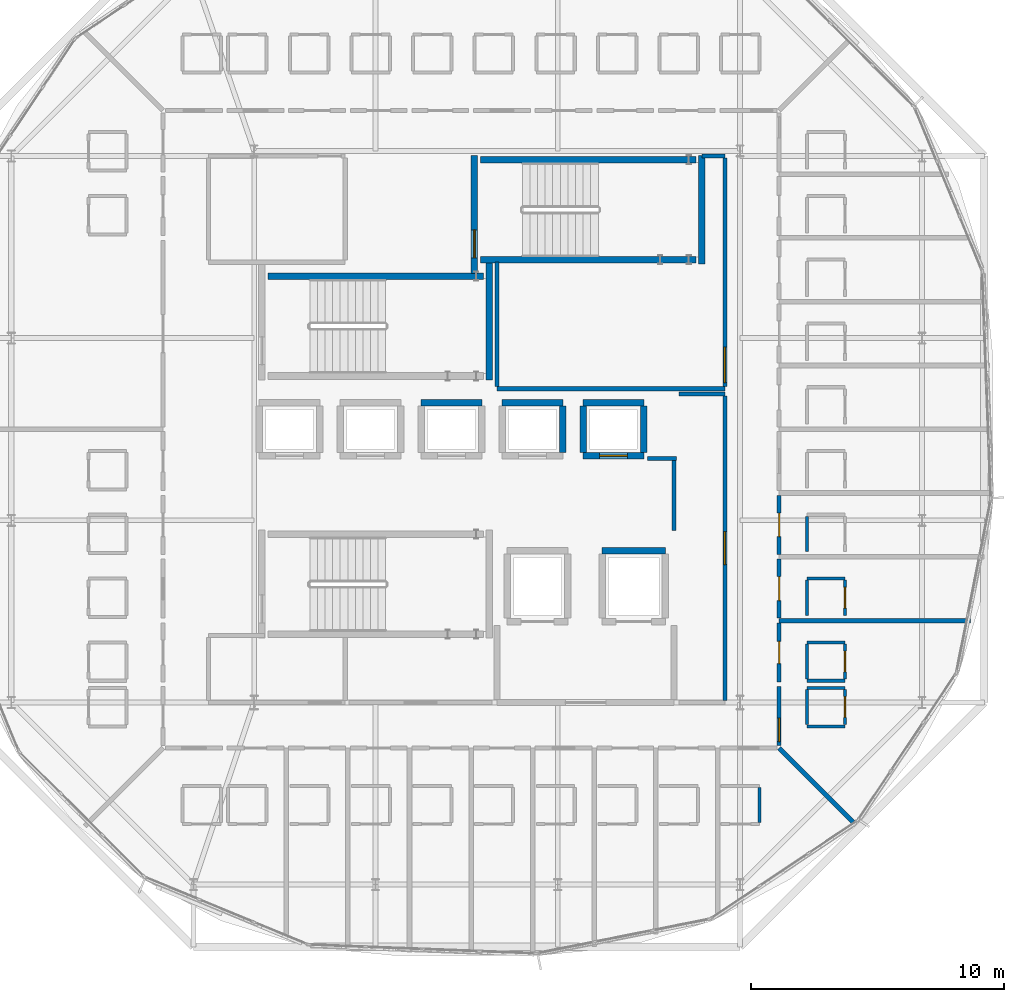
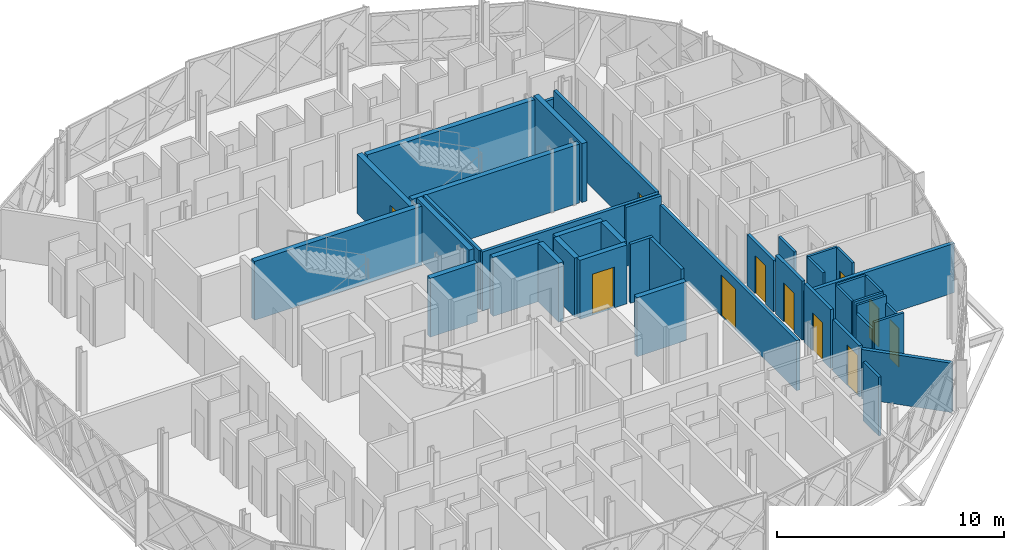
# One storey, part 16 of 24: 41 walls, 11 doors, 11 openings.
"""IFC4 building model written with IfcOpenShell, lengths in metres."""

from ifc_helpers import new_model, si_unit, direction, frame, frame_2d, origin, place, context, subcontext, project, spatial, rectangle, extrude, material, layer, layer_set, type_object, element, fill, save


model = new_model("IFC4")

# Units and contexts
model_context = context("Model", 3, precision=1e-05, world=origin(), true_north=direction((0.0, 1.0)))
body_context = subcontext(model_context, "Body", "Model", "MODEL_VIEW")
ifc_project = project(units=[si_unit("LENGTHUNIT", "METRE"), si_unit("AREAUNIT", "SQUARE_METRE"), si_unit("VOLUMEUNIT", "CUBIC_METRE"), si_unit("PLANEANGLEUNIT", "RADIAN"), si_unit("MASSUNIT", "GRAM", prefix="KILO")], contexts=[model_context])

# Site, building, storey
site_placement = place(None, origin())
site = spatial("IfcSite", under=ifc_project, at=site_placement, CompositionType="ELEMENT")
building_placement = place(site_placement, origin())
building = spatial("IfcBuilding", under=site, at=building_placement, Name="Zevrakil Square Congress Hotel", CompositionType="ELEMENT")
storey_placement = place(building_placement, frame((0.0, 0.0, 31.699951171875)))
storey = spatial("IfcBuildingStorey", under=building, at=storey_placement, Name="L09", CompositionType="ELEMENT", Elevation=31.699951171875)

# Walls
ifc_material_1 = material(Name="Gypsum Acoustic Stud Partition")
ifc_layer_1 = layer(ifc_material_1, 0.159912109375)
ifc_layer_set_1 = layer_set([ifc_layer_1], Name="Gypsum Acoustic Stud Partition")
wall_type_1 = type_object("IfcWallType", Name="WAL-CORR-160", PredefinedType="PARTITIONING", material=ifc_layer_set_1)
wall_1_placement = place(storey_placement, frame((146.39990234375, 29.199951171875, 0.0), z_axis=(0.0, 0.0, 1.0), x_axis=(1.0, 0.0, 0.0)))
element("IfcWall", 1, at=wall_1_placement, inside=storey, type_object=wall_type_1, Name="L09 interior partition PW-L09-1360", PredefinedType="PARTITIONING", context=body_context, shape_type="SweptSolid", body=[
    extrude(rectangle(XDim=9.0, YDim=0.159912109375, at=frame_2d((4.5, 0.0))), origin(), (0.0, 0.0, 1.0), 3.170166015625),
])
wall_2_placement = place(storey_placement, frame((146.39990234375, 29.284912109375, 0.0), z_axis=(0.0, 0.0, 1.0), x_axis=(0.0, 1.0, 0.0)))
element("IfcWall", 2, at=wall_2_placement, inside=storey, type_object=wall_type_1, Name="L09 interior partition PW-L09-1361", PredefinedType="PARTITIONING", context=body_context, shape_type="SweptSolid", body=[
    extrude(rectangle(XDim=4.9150390625, YDim=0.159912109375, at=frame_2d((2.45751953125, 0.0))), origin(), (0.0, 0.0, 1.0), 3.170166015625),
])
wall_3_placement = place(storey_placement, frame((154.5, 38.39990234375, 0.0), z_axis=(0.0, 0.0, 1.0), x_axis=(1.0, 0.0, 0.0)))
element("IfcWall", 3, at=wall_3_placement, inside=storey, type_object=wall_type_1, Name="L09 interior partition PW-L09-1362", PredefinedType="PARTITIONING", context=body_context, shape_type="SweptSolid", body=[
    extrude(rectangle(XDim=0.89990234375, YDim=0.159912109375, at=frame_2d((0.449951171875, 0.0))), origin(), (0.0, 0.0, 1.0), 2.705078125),
])

# Wall, opening, door
wall_4_placement = place(storey_placement, frame((155.39990234375, 29.284912109375, 0.0), z_axis=(0.0, 0.0, 1.0), x_axis=(0.0, 1.0, 0.0)))
wall_4 = element("IfcWall", 4, at=wall_4_placement, inside=storey, type_object=wall_type_1, Name="L09 interior partition PW-L09-1363", PredefinedType="PARTITIONING", context=body_context, shape_type="SweptSolid", body=[
    extrude(rectangle(XDim=9.030029296875, YDim=0.159912109375, at=frame_2d((4.51513671875, 0.0))), origin(), (0.0, 0.0, 1.0), 3.170166015625),
])
opening_1_placement = place(wall_4_placement, frame((0.159912109375, 0.0, 0.0)))
opening_1 = element("IfcOpeningElement", 5, at=opening_1_placement, cuts=wall_4, Name="Opening ID-09", PredefinedType="OPENING", context=body_context, shape_type="SweptSolid", body=[
    extrude(rectangle(XDim=1.39990234375, YDim=2.199951171875, at=frame_2d((0.699951171875, 1.10009765625))), frame((0.0, 0.08984375, 0.0), z_axis=(0.0, -1.0, 0.0), x_axis=(1.0, 0.0, 0.0)), (0.0, 0.0, 1.0), 0.179931640625),
])
ifc_material_2 = material(Name="Steel S355 Louvred Plant Fire Door", Category="steel")
door_type_1 = type_object("IfcDoorType", Name="DOR-PLANT-140", OperationType="NOTDEFINED", PredefinedType="DOOR", material=ifc_material_2)
door_1_placement = place(opening_1_placement, origin())
door_1 = element("IfcDoor", 6, at=door_1_placement, inside=storey, type_object=door_type_1, Name="L09 interior door 531", OperationType="SINGLE_SWING_LEFT", OverallHeight=2.199951171875, OverallWidth=1.39990234375, PredefinedType="DOOR", context=body_context, shape_type="SweptSolid", body=[
    extrude(rectangle(XDim=1.39990234375, YDim=2.199951171875, at=frame_2d((0.699951171875, 1.10009765625))), frame((0.0, 0.02490234375, 0.0), z_axis=(0.0, -1.0, 0.0), x_axis=(1.0, 0.0, 0.0)), (0.0, 0.0, 1.0), 0.050048828125),
])
fill(opening_1, door_1)

# Wall
wall_5_placement = place(storey_placement, frame((153.60009765625, 29.0, 0.0), z_axis=(0.0, 0.0, 1.0), x_axis=(1.0, 0.0, 0.0)))
element("IfcWall", 7, at=wall_5_placement, inside=storey, type_object=wall_type_1, Name="L09 interior partition PW-L09-1365", PredefinedType="PARTITIONING", context=body_context, shape_type="SweptSolid", body=[
    extrude(rectangle(XDim=1.7998046875, YDim=0.159912109375, at=frame_2d((0.89990234375, 0.0))), origin(), (0.0, 0.0, 1.0), 3.170166015625),
])

# Wall, opening, door
wall_6_placement = place(storey_placement, frame((155.39990234375, 16.885009765625, 0.0), z_axis=(0.0, 0.0, 1.0), x_axis=(0.0, 1.0, 0.0)))
wall_6 = element("IfcWall", 8, at=wall_6_placement, inside=storey, type_object=wall_type_1, Name="L09 interior partition PW-L09-1366", PredefinedType="PARTITIONING", context=body_context, shape_type="SweptSolid", body=[
    extrude(rectangle(XDim=12.030029296875, YDim=0.159912109375, at=frame_2d((6.01513671875, 0.0))), origin(), (0.0, 0.0, 1.0), 2.705078125),
])
opening_2_placement = place(wall_6_placement, frame((5.364990234375, 0.0, 0.0)))
opening_2 = element("IfcOpeningElement", 9, at=opening_2_placement, cuts=wall_6, Name="Opening ID-08", PredefinedType="OPENING", context=body_context, shape_type="SweptSolid", body=[
    extrude(rectangle(XDim=1.300048828125, YDim=2.199951171875, at=frame_2d((0.64990234375, 1.10009765625))), frame((0.0, 0.08984375, 0.0), z_axis=(0.0, -1.0, 0.0), x_axis=(1.0, 0.0, 0.0)), (0.0, 0.0, 1.0), 0.179931640625),
])
ifc_material_3 = material(Name="Service Corridor Leaf-and-Half Door")
door_type_2 = type_object("IfcDoorType", Name="DOR-BOH-130", OperationType="NOTDEFINED", PredefinedType="DOOR", material=ifc_material_3)
door_2_placement = place(opening_2_placement, origin())
door_2 = element("IfcDoor", 10, at=door_2_placement, inside=storey, type_object=door_type_2, Name="L09 interior door 532", OperationType="SINGLE_SWING_RIGHT", OverallHeight=2.199951171875, OverallWidth=1.300048828125, PredefinedType="DOOR", context=body_context, shape_type="SweptSolid", body=[
    extrude(rectangle(XDim=1.300048828125, YDim=2.199951171875, at=frame_2d((0.64990234375, 1.10009765625))), frame((0.0, 0.02490234375, 0.0), z_axis=(0.0, -1.0, 0.0), x_axis=(1.0, 0.0, 0.0)), (0.0, 0.0, 1.0), 0.050048828125),
])
fill(opening_2, door_2)

# Walls
wall_7_placement = place(storey_placement, frame((152.35009765625, 26.449951171875, 0.0), z_axis=(0.0, 0.0, 1.0), x_axis=(1.0, 0.0, 0.0)))
element("IfcWall", 11, at=wall_7_placement, inside=storey, type_object=wall_type_1, Name="L09 interior partition PW-L09-1367", PredefinedType="PARTITIONING", context=body_context, shape_type="SweptSolid", body=[
    extrude(rectangle(XDim=1.14990234375, YDim=0.159912109375, at=frame_2d((0.574951171875, 0.0))), origin(), (0.0, 0.0, 1.0), 3.170166015625),
])
wall_8_placement = place(storey_placement, frame((153.39990234375, 23.60009765625, 0.0), z_axis=(0.0, 0.0, 1.0), x_axis=(0.0, 1.0, 0.0)))
element("IfcWall", 12, at=wall_8_placement, inside=storey, type_object=wall_type_1, Name="L09 interior partition PW-L09-1368", PredefinedType="PARTITIONING", context=body_context, shape_type="SweptSolid", body=[
    extrude(rectangle(XDim=2.7998046875, YDim=0.159912109375, at=frame_2d((1.39990234375, 0.0))), origin(), (0.0, 0.0, 1.0), 3.170166015625),
])

# Wall, opening, door
wall_9_placement = place(storey_placement, frame((157.550048828125, 15.094970703125, 0.0), z_axis=(0.0, 0.0, 1.0), x_axis=(0.0, 1.0, 0.0)))
wall_9 = element("IfcWall", 13, at=wall_9_placement, inside=storey, type_object=wall_type_1, Name="L09 interior partition PW-L09-1422", PredefinedType="PARTITIONING", context=body_context, shape_type="SweptSolid", body=[
    extrude(rectangle(XDim=2.330078125, YDim=0.159912109375, at=frame_2d((1.1650390625, 0.0))), origin(), (0.0, 0.0, 1.0), 2.755126953125),
])
opening_3_placement = place(wall_9_placement, frame((0.159912109375, 0.0, 0.0)))
opening_3 = element("IfcOpeningElement", 14, at=opening_3_placement, cuts=wall_9, Name="Opening ID-H07", PredefinedType="OPENING", context=body_context, shape_type="SweptSolid", body=[
    extrude(rectangle(XDim=0.924072265625, YDim=2.159912109375, at=frame_2d((0.4619140625, 1.080078125))), frame((0.0, 0.08984375, 0.0), z_axis=(0.0, -1.0, 0.0), x_axis=(1.0, 0.0, 0.0)), (0.0, 0.0, 1.0), 0.179931640625),
])
ifc_material_4 = material(Name="Acoustic Timber Fire Door", Category="wood")
door_type_3 = type_object("IfcDoorType", Name="DOR-INT-H07", OperationType="NOTDEFINED", PredefinedType="DOOR", material=ifc_material_4)
door_3_placement = place(opening_3_placement, origin())
door_3 = element("IfcDoor", 15, at=door_3_placement, inside=storey, type_object=door_type_3, Name="L09 interior door 554", OperationType="SINGLE_SWING_RIGHT", OverallHeight=2.159912109375, OverallWidth=0.924072265625, PredefinedType="DOOR", context=body_context, shape_type="SweptSolid", body=[
    extrude(rectangle(XDim=0.924072265625, YDim=2.159912109375, at=frame_2d((0.4619140625, 1.080078125))), frame((0.0, 0.02490234375, 0.0), z_axis=(0.0, -1.0, 0.0), x_axis=(1.0, 0.0, 0.0)), (0.0, 0.0, 1.0), 0.050048828125),
])
fill(opening_3, door_3)

wall_10_placement = place(storey_placement, frame((157.550048828125, 17.614990234375, 0.0), z_axis=(0.0, 0.0, 1.0), x_axis=(0.0, 1.0, 0.0)))
wall_10 = element("IfcWall", 16, at=wall_10_placement, inside=storey, type_object=wall_type_1, Name="L09 interior partition PW-L09-1427", PredefinedType="PARTITIONING", context=body_context, shape_type="SweptSolid", body=[
    extrude(rectangle(XDim=2.330078125, YDim=0.159912109375, at=frame_2d((1.1650390625, 0.0))), origin(), (0.0, 0.0, 1.0), 3.170166015625),
])
opening_4_placement = place(wall_10_placement, frame((0.72509765625, 0.0, 0.0)))
opening_4 = element("IfcOpeningElement", 17, at=opening_4_placement, cuts=wall_10, Name="Opening ID-G02", PredefinedType="OPENING", context=body_context, shape_type="SweptSolid", body=[
    extrude(rectangle(XDim=0.8798828125, YDim=2.050048828125, at=frame_2d((0.43994140625, 1.02490234375))), frame((0.0, 0.08984375, 0.0), z_axis=(0.0, -1.0, 0.0), x_axis=(1.0, 0.0, 0.0)), (0.0, 0.0, 1.0), 0.179931640625),
])
ifc_material_5 = material(Name="Acoustic Timber Fire Door", Category="wood")
door_type_4 = type_object("IfcDoorType", Name="DOR-INT-G02", OperationType="NOTDEFINED", PredefinedType="DOOR", material=ifc_material_5)
door_4_placement = place(opening_4_placement, origin())
door_4 = element("IfcDoor", 18, at=door_4_placement, inside=storey, type_object=door_type_4, Name="L09 interior door 556", OperationType="SINGLE_SWING_RIGHT", OverallHeight=2.050048828125, OverallWidth=0.8798828125, PredefinedType="DOOR", context=body_context, shape_type="SweptSolid", body=[
    extrude(rectangle(XDim=0.8798828125, YDim=2.050048828125, at=frame_2d((0.43994140625, 1.02490234375))), frame((0.0, 0.02490234375, 0.0), z_axis=(0.0, -1.0, 0.0), x_axis=(1.0, 0.0, 0.0)), (0.0, 0.0, 1.0), 0.050048828125),
])
fill(opening_4, door_4)

wall_11_placement = place(storey_placement, frame((157.550048828125, 20.135009765625, 0.0), z_axis=(0.0, 0.0, 1.0), x_axis=(0.0, 1.0, 0.0)))
wall_11 = element("IfcWall", 19, at=wall_11_placement, inside=storey, type_object=wall_type_1, Name="L09 interior partition PW-L09-1433", PredefinedType="PARTITIONING", context=body_context, shape_type="SweptSolid", body=[
    extrude(rectangle(XDim=2.330078125, YDim=0.159912109375, at=frame_2d((1.1650390625, 0.0))), origin(), (0.0, 0.0, 1.0), 3.170166015625),
])
opening_5_placement = place(wall_11_placement, frame((0.69091796875, 0.0, 0.0)))
opening_5 = element("IfcOpeningElement", 20, at=opening_5_placement, cuts=wall_11, Name="Opening ID-H09", PredefinedType="OPENING", context=body_context, shape_type="SweptSolid", body=[
    extrude(rectangle(XDim=0.947998046875, YDim=2.10009765625, at=frame_2d((0.47412109375, 1.050048828125))), frame((0.0, 0.08984375, 0.0), z_axis=(0.0, -1.0, 0.0), x_axis=(1.0, 0.0, 0.0)), (0.0, 0.0, 1.0), 0.179931640625),
])
ifc_material_6 = material(Name="Acoustic Timber Fire Door", Category="wood")
door_type_5 = type_object("IfcDoorType", Name="DOR-INT-H09", OperationType="NOTDEFINED", PredefinedType="DOOR", material=ifc_material_6)
door_5_placement = place(opening_5_placement, origin())
door_5 = element("IfcDoor", 21, at=door_5_placement, inside=storey, type_object=door_type_5, Name="L09 interior door 558", OperationType="SINGLE_SWING_RIGHT", OverallHeight=2.10009765625, OverallWidth=0.947998046875, PredefinedType="DOOR", context=body_context, shape_type="SweptSolid", body=[
    extrude(rectangle(XDim=0.947998046875, YDim=2.10009765625, at=frame_2d((0.47412109375, 1.050048828125))), frame((0.0, 0.02490234375, 0.0), z_axis=(0.0, -1.0, 0.0), x_axis=(1.0, 0.0, 0.0)), (0.0, 0.0, 1.0), 0.050048828125),
])
fill(opening_5, door_5)

wall_12_placement = place(storey_placement, frame((157.550048828125, 22.655029296875, 0.0), z_axis=(0.0, 0.0, 1.0), x_axis=(0.0, 1.0, 0.0)))
wall_12 = element("IfcWall", 22, at=wall_12_placement, inside=storey, type_object=wall_type_1, Name="L09 interior partition PW-L09-1438", PredefinedType="PARTITIONING", context=body_context, shape_type="SweptSolid", body=[
    extrude(rectangle(XDim=2.330078125, YDim=0.159912109375, at=frame_2d((1.1650390625, 0.0))), origin(), (0.0, 0.0, 1.0), 2.755126953125),
])
opening_6_placement = place(wall_12_placement, frame((0.699951171875, 0.0, 0.0)))
opening_6 = element("IfcOpeningElement", 23, at=opening_6_placement, cuts=wall_12, Name="Opening ID-G04", PredefinedType="OPENING", context=body_context, shape_type="SweptSolid", body=[
    extrude(rectangle(XDim=0.929931640625, YDim=2.050048828125, at=frame_2d((0.46484375, 1.02490234375))), frame((0.0, 0.08984375, 0.0), z_axis=(0.0, -1.0, 0.0), x_axis=(1.0, 0.0, 0.0)), (0.0, 0.0, 1.0), 0.179931640625),
])
ifc_material_7 = material(Name="Acoustic Timber Fire Door", Category="wood")
door_type_6 = type_object("IfcDoorType", Name="DOR-INT-G04", OperationType="NOTDEFINED", PredefinedType="DOOR", material=ifc_material_7)
door_6_placement = place(opening_6_placement, origin())
door_6 = element("IfcDoor", 24, at=door_6_placement, inside=storey, type_object=door_type_6, Name="L09 interior door 560", OperationType="SINGLE_SWING_RIGHT", OverallHeight=2.050048828125, OverallWidth=0.929931640625, PredefinedType="DOOR", context=body_context, shape_type="SweptSolid", body=[
    extrude(rectangle(XDim=0.929931640625, YDim=2.050048828125, at=frame_2d((0.46484375, 1.02490234375))), frame((0.0, 0.02490234375, 0.0), z_axis=(0.0, -1.0, 0.0), x_axis=(1.0, 0.0, 0.0)), (0.0, 0.0, 1.0), 0.050048828125),
])
fill(opening_6, door_6)

# Walls
ifc_material_8 = material(Name="Moisture-Resistant Gypsum Partition")
ifc_layer_2 = layer(ifc_material_8, 0.1201171875)
ifc_layer_set_2 = layer_set([ifc_layer_2], Name="Moisture-Resistant Gypsum Partition")
wall_type_2 = type_object("IfcWallType", Name="WAL-ENS-120", PredefinedType="PARTITIONING", material=ifc_layer_set_2)
wall_13_placement = place(storey_placement, frame((156.77490234375, 12.06494140625, 0.0), z_axis=(0.0, 0.0, 1.0), x_axis=(0.0, 1.0, 0.0)))
element("IfcWall", 25, at=wall_13_placement, inside=storey, type_object=wall_type_2, Name="L09 interior partition PW-L09-1420", PredefinedType="PARTITIONING", context=body_context, shape_type="SweptSolid", body=[
    extrude(rectangle(XDim=1.3701171875, YDim=0.1201171875, at=frame_2d((0.68505859375, 0.0))), origin(), (0.0, 0.0, 1.0), 3.170166015625),
])
for number, where, z_axis, x_axis, name in (
    (26, (158.64990234375, 15.860107421875, 0.0), (0.0, 0.0, 1.0), (1.0, 0.0, 0.0), "L09 interior partition PW-L09-1423"),
    (27, (158.64990234375, 17.3798828125, 0.0), (0.0, 0.0, 1.0), (1.0, 0.0, 0.0), "L09 interior partition PW-L09-1424"),
):
    element("IfcWall", number, at=place(storey_placement, frame(where, z_axis=z_axis, x_axis=x_axis)), inside=storey, type_object=wall_type_2, Name=name, PredefinedType="PARTITIONING", context=body_context, shape_type="SweptSolid", body=[
        extrude(rectangle(XDim=1.5, YDim=0.1201171875, at=frame_2d((0.75, 0.0))), origin(), (0.0, 0.0, 1.0), 3.170166015625),
    ])
wall_14_placement = place(storey_placement, frame((158.64990234375, 15.925048828125, 0.0), z_axis=(0.0, 0.0, 1.0), x_axis=(0.0, 1.0, 0.0)))
element("IfcWall", 28, at=wall_14_placement, inside=storey, type_object=wall_type_2, Name="L09 interior partition PW-L09-1425", PredefinedType="PARTITIONING", context=body_context, shape_type="SweptSolid", body=[
    extrude(rectangle(XDim=1.389892578125, YDim=0.1201171875, at=frame_2d((0.69482421875, 0.0))), origin(), (0.0, 0.0, 1.0), 2.755126953125),
])

# Wall, opening, door
wall_15_placement = place(storey_placement, frame((160.14990234375, 15.925048828125, 0.0), z_axis=(0.0, 0.0, 1.0), x_axis=(0.0, 1.0, 0.0)))
wall_15 = element("IfcWall", 29, at=wall_15_placement, inside=storey, type_object=wall_type_2, Name="L09 interior partition PW-L09-1426", PredefinedType="PARTITIONING", context=body_context, shape_type="SweptSolid", body=[
    extrude(rectangle(XDim=1.389892578125, YDim=0.1201171875, at=frame_2d((0.69482421875, 0.0))), origin(), (0.0, 0.0, 1.0), 2.755126953125),
])
opening_7_placement = place(wall_15_placement, frame((0.284912109375, 0.0, 0.0)))
opening_7 = element("IfcOpeningElement", 30, at=opening_7_placement, cuts=wall_15, Name="Opening ID-11", PredefinedType="OPENING", context=body_context, shape_type="SweptSolid", body=[
    extrude(rectangle(XDim=0.820068359375, YDim=2.080078125, at=frame_2d((0.41015625, 1.0400390625))), frame((0.0, 0.070068359375, 0.0), z_axis=(0.0, -1.0, 0.0), x_axis=(1.0, 0.0, 0.0)), (0.0, 0.0, 1.0), 0.14013671875),
])
ifc_material_9 = material(Name="Acoustic Timber Door", Category="wood")
door_type_7 = type_object("IfcDoorType", Name="DOR-INT-V01", OperationType="NOTDEFINED", PredefinedType="DOOR", material=ifc_material_9)
door_7_placement = place(opening_7_placement, origin())
door_7 = element("IfcDoor", 31, at=door_7_placement, inside=storey, type_object=door_type_7, Name="L09 interior door 555", OperationType="SINGLE_SWING_LEFT", OverallHeight=2.080078125, OverallWidth=0.820068359375, PredefinedType="DOOR", context=body_context, shape_type="SweptSolid", body=[
    extrude(rectangle(XDim=0.820068359375, YDim=2.080078125, at=frame_2d((0.41015625, 1.0400390625))), frame((0.0, 0.02490234375, 0.0), z_axis=(0.0, -1.0, 0.0), x_axis=(1.0, 0.0, 0.0)), (0.0, 0.0, 1.0), 0.050048828125),
])
fill(opening_7, door_7)

# Walls
for number, where, z_axis, x_axis, name in (
    (32, (158.64990234375, 17.659912109375, 0.0), (0.0, 0.0, 1.0), (1.0, 0.0, 0.0), "L09 interior partition PW-L09-1428"),
    (33, (158.64990234375, 19.179931640625, 0.0), (0.0, 0.0, 1.0), (1.0, 0.0, 0.0), "L09 interior partition PW-L09-1429"),
):
    element("IfcWall", number, at=place(storey_placement, frame(where, z_axis=z_axis, x_axis=x_axis)), inside=storey, type_object=wall_type_2, Name=name, PredefinedType="PARTITIONING", context=body_context, shape_type="SweptSolid", body=[
        extrude(rectangle(XDim=1.5, YDim=0.1201171875, at=frame_2d((0.75, 0.0))), origin(), (0.0, 0.0, 1.0), 3.170166015625),
    ])
wall_16_placement = place(storey_placement, frame((158.64990234375, 17.72509765625, 0.0), z_axis=(0.0, 0.0, 1.0), x_axis=(0.0, 1.0, 0.0)))
element("IfcWall", 34, at=wall_16_placement, inside=storey, type_object=wall_type_2, Name="L09 interior partition PW-L09-1430", PredefinedType="PARTITIONING", context=body_context, shape_type="SweptSolid", body=[
    extrude(rectangle(XDim=1.389892578125, YDim=0.1201171875, at=frame_2d((0.69482421875, 0.0))), origin(), (0.0, 0.0, 1.0), 3.170166015625),
])

# Wall, opening, door
wall_17_placement = place(storey_placement, frame((160.14990234375, 17.72509765625, 0.0), z_axis=(0.0, 0.0, 1.0), x_axis=(0.0, 1.0, 0.0)))
wall_17 = element("IfcWall", 35, at=wall_17_placement, inside=storey, type_object=wall_type_2, Name="L09 interior partition PW-L09-1431", PredefinedType="PARTITIONING", context=body_context, shape_type="SweptSolid", body=[
    extrude(rectangle(XDim=1.389892578125, YDim=0.1201171875, at=frame_2d((0.69482421875, 0.0))), origin(), (0.0, 0.0, 1.0), 3.170166015625),
])
opening_8_placement = place(wall_17_placement, frame((0.284912109375, 0.0, 0.0)))
opening_8 = element("IfcOpeningElement", 36, at=opening_8_placement, cuts=wall_17, Name="Opening ID-11", PredefinedType="OPENING", context=body_context, shape_type="SweptSolid", body=[
    extrude(rectangle(XDim=0.820068359375, YDim=2.080078125, at=frame_2d((0.41015625, 1.0400390625))), frame((0.0, 0.070068359375, 0.0), z_axis=(0.0, -1.0, 0.0), x_axis=(1.0, 0.0, 0.0)), (0.0, 0.0, 1.0), 0.14013671875),
])
door_8_placement = place(opening_8_placement, origin())
door_8 = element("IfcDoor", 37, at=door_8_placement, inside=storey, type_object=door_type_7, Name="L09 interior door 557", OperationType="SINGLE_SWING_LEFT", OverallHeight=2.080078125, OverallWidth=0.820068359375, PredefinedType="DOOR", context=body_context, shape_type="SweptSolid", body=[
    extrude(rectangle(XDim=0.820068359375, YDim=2.080078125, at=frame_2d((0.41015625, 1.0400390625))), frame((0.0, 0.02490234375, 0.0), z_axis=(0.0, -1.0, 0.0), x_axis=(1.0, 0.0, 0.0)), (0.0, 0.0, 1.0), 0.050048828125),
])
fill(opening_8, door_8)

# Walls
wall_18_placement = place(storey_placement, frame((158.64990234375, 21.699951171875, 0.0), z_axis=(0.0, 0.0, 1.0), x_axis=(1.0, 0.0, 0.0)))
element("IfcWall", 38, at=wall_18_placement, inside=storey, type_object=wall_type_2, Name="L09 interior partition PW-L09-1434", PredefinedType="PARTITIONING", context=body_context, shape_type="SweptSolid", body=[
    extrude(rectangle(XDim=1.5, YDim=0.1201171875, at=frame_2d((0.75, 0.0))), origin(), (0.0, 0.0, 1.0), 3.170166015625),
])
wall_19_placement = place(storey_placement, frame((158.64990234375, 20.2451171875, 0.0), z_axis=(0.0, 0.0, 1.0), x_axis=(0.0, 1.0, 0.0)))
element("IfcWall", 39, at=wall_19_placement, inside=storey, type_object=wall_type_2, Name="L09 interior partition PW-L09-1435", PredefinedType="PARTITIONING", context=body_context, shape_type="SweptSolid", body=[
    extrude(rectangle(XDim=1.389892578125, YDim=0.1201171875, at=frame_2d((0.69482421875, 0.0))), origin(), (0.0, 0.0, 1.0), 3.170166015625),
])

# Wall, opening, door
wall_20_placement = place(storey_placement, frame((160.14990234375, 20.2451171875, 0.0), z_axis=(0.0, 0.0, 1.0), x_axis=(0.0, 1.0, 0.0)))
wall_20 = element("IfcWall", 40, at=wall_20_placement, inside=storey, type_object=wall_type_2, Name="L09 interior partition PW-L09-1436", PredefinedType="PARTITIONING", context=body_context, shape_type="SweptSolid", body=[
    extrude(rectangle(XDim=1.389892578125, YDim=0.1201171875, at=frame_2d((0.69482421875, 0.0))), origin(), (0.0, 0.0, 1.0), 3.170166015625),
])
opening_9_placement = place(wall_20_placement, frame((0.284912109375, 0.0, 0.0)))
opening_9 = element("IfcOpeningElement", 41, at=opening_9_placement, cuts=wall_20, Name="Opening ID-11", PredefinedType="OPENING", context=body_context, shape_type="SweptSolid", body=[
    extrude(rectangle(XDim=0.820068359375, YDim=2.080078125, at=frame_2d((0.41015625, 1.0400390625))), frame((0.0, 0.070068359375, 0.0), z_axis=(0.0, -1.0, 0.0), x_axis=(1.0, 0.0, 0.0)), (0.0, 0.0, 1.0), 0.14013671875),
])
door_9_placement = place(opening_9_placement, origin())
door_9 = element("IfcDoor", 42, at=door_9_placement, inside=storey, type_object=door_type_7, Name="L09 interior door 559", OperationType="SINGLE_SWING_LEFT", OverallHeight=2.080078125, OverallWidth=0.820068359375, PredefinedType="DOOR", context=body_context, shape_type="SweptSolid", body=[
    extrude(rectangle(XDim=0.820068359375, YDim=2.080078125, at=frame_2d((0.41015625, 1.0400390625))), frame((0.0, 0.02490234375, 0.0), z_axis=(0.0, -1.0, 0.0), x_axis=(1.0, 0.0, 0.0)), (0.0, 0.0, 1.0), 0.050048828125),
])
fill(opening_9, door_9)

# Walls
wall_21_placement = place(storey_placement, frame((158.64990234375, 22.764892578125, 0.0), z_axis=(0.0, 0.0, 1.0), x_axis=(0.0, 1.0, 0.0)))
element("IfcWall", 43, at=wall_21_placement, inside=storey, type_object=wall_type_2, Name="L09 interior partition PW-L09-1440", PredefinedType="PARTITIONING", context=body_context, shape_type="SweptSolid", body=[
    extrude(rectangle(XDim=1.39013671875, YDim=0.1201171875, at=frame_2d((0.695068359375, 0.0))), origin(), (0.0, 0.0, 1.0), 2.755126953125),
])
ifc_material_10 = material(Name="Gypsum Twin-Stud Party Partition")
ifc_layer_3 = layer(ifc_material_10, 0.179931640625)
ifc_layer_set_3 = layer_set([ifc_layer_3], Name="Gypsum Twin-Stud Party Partition")
wall_type_3 = type_object("IfcWallType", Name="WAL-PARTY-180", PredefinedType="PARTITIONING", material=ifc_layer_set_3)
wall_22_placement = place(storey_placement, frame((157.550048828125, 15.0, 0.0), z_axis=(0.0, 0.0, 1.0), x_axis=(0.707106781187, -0.707106781187, 0.0)))
element("IfcWall", 44, at=wall_22_placement, inside=storey, type_object=wall_type_3, Name="L09 interior partition PW-L09-1421", PredefinedType="PARTITIONING", context=body_context, shape_type="SweptSolid", body=[
    extrude(rectangle(XDim=4.137939453125, YDim=0.179931640625, at=frame_2d((2.06884765625, 0.0))), origin(), (0.0, 0.0, 1.0), 2.655029296875),
])
wall_23_placement = place(storey_placement, frame((157.550048828125, 20.0400390625, 0.0), z_axis=(0.0, 0.0, 1.0), x_axis=(1.0, 0.0, 0.0)))
element("IfcWall", 45, at=wall_23_placement, inside=storey, type_object=wall_type_3, Name="L09 interior partition PW-L09-1432", PredefinedType="PARTITIONING", context=body_context, shape_type="SweptSolid", body=[
    extrude(rectangle(XDim=7.56787109375, YDim=0.179931640625, at=frame_2d((3.783935546875, 0.0))), origin(), (0.0, 0.0, 1.0), 2.655029296875),
])
ifc_material_11 = material(Name="Concrete C40/50", Category="concrete")
ifc_layer_4 = layer(ifc_material_11, 0.260009765625)
ifc_layer_set_4 = layer_set([ifc_layer_4], Name="Concrete C40/50")
wall_type_4 = type_object("IfcWallType", Name="WAL-SHAFT-260", PredefinedType="SHEAR", material=ifc_layer_set_4)
wall_24_placement = place(storey_placement, frame((146.094970703125, 29.5400390625, 0.0), z_axis=(0.0, 0.0, 1.0), x_axis=(0.0, 1.0, 0.0)))
element("IfcWall", 46, at=wall_24_placement, inside=storey, type_object=wall_type_4, Name="L09 ST02 stair shaft E wall", PredefinedType="SHEAR", context=body_context, shape_type="SweptSolid", body=[
    extrude(rectangle(XDim=4.635009765625, YDim=0.260009765625, at=frame_2d((2.3173828125, 0.0))), origin(), (0.0, 0.0, 1.0), 3.170166015625),
])
wall_25_placement = place(storey_placement, frame((137.340087890625, 33.64501953125, 0.0), z_axis=(0.0, 0.0, 1.0), x_axis=(1.0, 0.0, 0.0)))
element("IfcWall", 47, at=wall_25_placement, inside=storey, type_object=wall_type_4, Name="L09 ST02 stair shaft N wall", PredefinedType="SHEAR", context=body_context, shape_type="SweptSolid", body=[
    extrude(rectangle(XDim=8.52001953125, YDim=0.260009765625, at=frame_2d((4.260009765625, 0.0))), origin(), (0.0, 0.0, 1.0), 3.170166015625),
])

# Wall, opening, door
wall_26_placement = place(storey_placement, frame((145.5048828125, 33.764892578125, 0.0), z_axis=(0.0, 0.0, 1.0), x_axis=(0.0, 1.0, 0.0)))
wall_26 = element("IfcWall", 48, at=wall_26_placement, inside=storey, type_object=wall_type_4, Name="L09 ST03 stair shaft W wall", PredefinedType="SHEAR", context=body_context, shape_type="SweptSolid", body=[
    extrude(rectangle(XDim=4.64501953125, YDim=0.260009765625, at=frame_2d((2.322509765625, 0.0))), origin(), (0.0, 0.0, 1.0), 3.170166015625),
])
opening_10_placement = place(wall_26_placement, frame((0.610107421875, 0.0, 0.0)))
opening_10 = element("IfcOpeningElement", 49, at=opening_10_placement, cuts=wall_26, Name="Opening SD-ST03", PredefinedType="OPENING", context=body_context, shape_type="SweptSolid", body=[
    extrude(rectangle(XDim=1.10009765625, YDim=2.199951171875, at=frame_2d((0.550048828125, 1.10009765625))), frame((0.0, 0.14013671875, 0.0), z_axis=(0.0, -1.0, 0.0), x_axis=(1.0, 0.0, 0.0)), (0.0, 0.0, 1.0), 0.280029296875),
])
ifc_material_12 = material(Name="Steel S355 Fire-Rated Door", Category="steel")
door_type_8 = type_object("IfcDoorType", Name="DOR-STAIR-FD90-110", OperationType="NOTDEFINED", PredefinedType="DOOR", material=ifc_material_12)
door_10_placement = place(opening_10_placement, origin())
door_10 = element("IfcDoor", 50, at=door_10_placement, inside=storey, type_object=door_type_8, Name="L09 ST03 protected stair fire door", OperationType="SINGLE_SWING_RIGHT", OverallHeight=2.199951171875, OverallWidth=1.10009765625, PredefinedType="DOOR", context=body_context, shape_type="SweptSolid", body=[
    extrude(rectangle(XDim=1.10009765625, YDim=2.199951171875, at=frame_2d((0.550048828125, 1.10009765625))), frame((0.0, 0.02490234375, 0.0), z_axis=(0.0, -1.0, 0.0), x_axis=(1.0, 0.0, 0.0)), (0.0, 0.0, 1.0), 0.050048828125),
])
fill(opening_10, door_10)

# Walls
wall_27_placement = place(storey_placement, frame((154.4951171875, 34.139892578125, 0.0), z_axis=(0.0, 0.0, 1.0), x_axis=(0.0, 1.0, 0.0)))
element("IfcWall", 51, at=wall_27_placement, inside=storey, type_object=wall_type_4, Name="L09 ST03 stair shaft E wall", PredefinedType="SHEAR", context=body_context, shape_type="SweptSolid", body=[
    extrude(rectangle(XDim=4.27001953125, YDim=0.260009765625, at=frame_2d((2.135009765625, 0.0))), origin(), (0.0, 0.0, 1.0), 3.170166015625),
])
for number, where, z_axis, x_axis, name in (
    (52, (145.739990234375, 34.304931640625, 0.0), (0.0, 0.0, 1.0), (1.0, 0.0, 0.0), "L09 ST03 stair shaft S wall"),
    (53, (145.739990234375, 38.2451171875, 0.0), (0.0, 0.0, 1.0), (1.0, 0.0, 0.0), "L09 ST03 stair shaft N wall"),
):
    element("IfcWall", number, at=place(storey_placement, frame(where, z_axis=z_axis, x_axis=x_axis)), inside=storey, type_object=wall_type_4, Name=name, PredefinedType="SHEAR", context=body_context, shape_type="SweptSolid", body=[
        extrude(rectangle(XDim=8.52001953125, YDim=0.260009765625, at=frame_2d((4.260009765625, 0.0))), origin(), (0.0, 0.0, 1.0), 3.170166015625),
    ])
wall_28_placement = place(storey_placement, frame((143.39990234375, 28.64990234375, 0.0), z_axis=(0.0, 0.0, 1.0), x_axis=(1.0, 0.0, 0.0)))
element("IfcWall", 54, at=wall_28_placement, inside=storey, type_object=wall_type_4, Name="L09 HL3 lift shaft wall", PredefinedType="SHEAR", context=body_context, shape_type="SweptSolid", body=[
    extrude(rectangle(XDim=2.400146484375, YDim=0.260009765625, at=frame_2d((1.2001953125, 0.0))), origin(), (0.0, 0.0, 1.0), 3.170166015625),
])
wall_29_placement = place(storey_placement, frame((146.60009765625, 28.64990234375, 0.0), z_axis=(0.0, 0.0, 1.0), x_axis=(1.0, 0.0, 0.0)))
element("IfcWall", 55, at=wall_29_placement, inside=storey, type_object=wall_type_4, Name="L09 HL4 lift shaft wall", PredefinedType="SHEAR", context=body_context, shape_type="SweptSolid", body=[
    extrude(rectangle(XDim=2.39990234375, YDim=0.260009765625, at=frame_2d((1.199951171875, 0.0))), origin(), (0.0, 0.0, 1.0), 3.170166015625),
])
wall_30_placement = place(storey_placement, frame((149.0, 26.68994140625, 0.0), z_axis=(0.0, 0.0, 1.0), x_axis=(0.0, 1.0, 0.0)))
element("IfcWall", 56, at=wall_30_placement, inside=storey, type_object=wall_type_4, Name="L09 HL4 lift shaft wall", PredefinedType="SHEAR", context=body_context, shape_type="SweptSolid", body=[
    extrude(rectangle(XDim=1.820068359375, YDim=0.260009765625, at=frame_2d((0.91015625, 0.0))), origin(), (0.0, 0.0, 1.0), 3.170166015625),
])

# Wall, opening, door
wall_31_placement = place(storey_placement, frame((149.800048828125, 26.550048828125, 0.0), z_axis=(0.0, 0.0, 1.0), x_axis=(1.0, 0.0, 0.0)))
wall_31 = element("IfcWall", 57, at=wall_31_placement, inside=storey, type_object=wall_type_4, Name="L09 HL5 lift shaft wall", PredefinedType="SHEAR", context=body_context, shape_type="SweptSolid", body=[
    extrude(rectangle(XDim=2.39990234375, YDim=0.260009765625, at=frame_2d((1.199951171875, 0.0))), origin(), (0.0, 0.0, 1.0), 3.170166015625),
])
opening_11_placement = place(wall_31_placement, frame((0.64990234375, 0.0, 0.0)))
opening_11 = element("IfcOpeningElement", 58, at=opening_11_placement, cuts=wall_31, Name="Opening LD-HL5", PredefinedType="OPENING", context=body_context, shape_type="SweptSolid", body=[
    extrude(rectangle(XDim=1.10009765625, YDim=2.199951171875, at=frame_2d((0.550048828125, 1.10009765625))), frame((0.0, 0.14013671875, 0.0), z_axis=(0.0, -1.0, 0.0), x_axis=(1.0, 0.0, 0.0)), (0.0, 0.0, 1.0), 0.280029296875),
])
ifc_material_13 = material(Name="Stainless Steel Sliding Lift Landing Door", Category="steel")
door_type_9 = type_object("IfcDoorType", Name="DOR-LIFT-LD110", OperationType="NOTDEFINED", PredefinedType="DOOR", material=ifc_material_13)
door_11_placement = place(opening_11_placement, origin())
door_11 = element("IfcDoor", 59, at=door_11_placement, inside=storey, type_object=door_type_9, Name="L09 HL5 sliding lift landing door", OperationType="SLIDING_TO_LEFT", OverallHeight=2.199951171875, OverallWidth=1.10009765625, PredefinedType="DOOR", context=body_context, shape_type="SweptSolid", body=[
    extrude(rectangle(XDim=1.10009765625, YDim=2.199951171875, at=frame_2d((0.550048828125, 1.10009765625))), frame((0.0, 0.02490234375, 0.0), z_axis=(0.0, -1.0, 0.0), x_axis=(1.0, 0.0, 0.0)), (0.0, 0.0, 1.0), 0.050048828125),
])
fill(opening_11, door_11)

# Walls
wall_32_placement = place(storey_placement, frame((149.800048828125, 28.64990234375, 0.0), z_axis=(0.0, 0.0, 1.0), x_axis=(1.0, 0.0, 0.0)))
element("IfcWall", 60, at=wall_32_placement, inside=storey, type_object=wall_type_4, Name="L09 HL5 lift shaft wall", PredefinedType="SHEAR", context=body_context, shape_type="SweptSolid", body=[
    extrude(rectangle(XDim=2.39990234375, YDim=0.260009765625, at=frame_2d((1.199951171875, 0.0))), origin(), (0.0, 0.0, 1.0), 3.170166015625),
])
for number, where, z_axis, x_axis, name in (
    (61, (149.800048828125, 26.68994140625, 0.0), (0.0, 0.0, 1.0), (0.0, 1.0, 0.0), "L09 HL5 lift shaft wall"),
    (62, (152.199951171875, 26.68994140625, 0.0), (0.0, 0.0, 1.0), (0.0, 1.0, 0.0), "L09 HL5 lift shaft wall"),
):
    element("IfcWall", number, at=place(storey_placement, frame(where, z_axis=z_axis, x_axis=x_axis)), inside=storey, type_object=wall_type_4, Name=name, PredefinedType="SHEAR", context=body_context, shape_type="SweptSolid", body=[
        extrude(rectangle(XDim=1.820068359375, YDim=0.260009765625, at=frame_2d((0.91015625, 0.0))), origin(), (0.0, 0.0, 1.0), 3.170166015625),
    ])
wall_33_placement = place(storey_placement, frame((150.550048828125, 22.800048828125, 0.0), z_axis=(0.0, 0.0, 1.0), x_axis=(1.0, 0.0, 0.0)))
element("IfcWall", 63, at=wall_33_placement, inside=storey, type_object=wall_type_4, Name="L09 SL1 lift shaft wall", PredefinedType="SHEAR", context=body_context, shape_type="SweptSolid", body=[
    extrude(rectangle(XDim=2.5, YDim=0.260009765625, at=frame_2d((1.25, 0.0))), origin(), (0.0, 0.0, 1.0), 3.170166015625),
])

save(model, "model.ifc")
